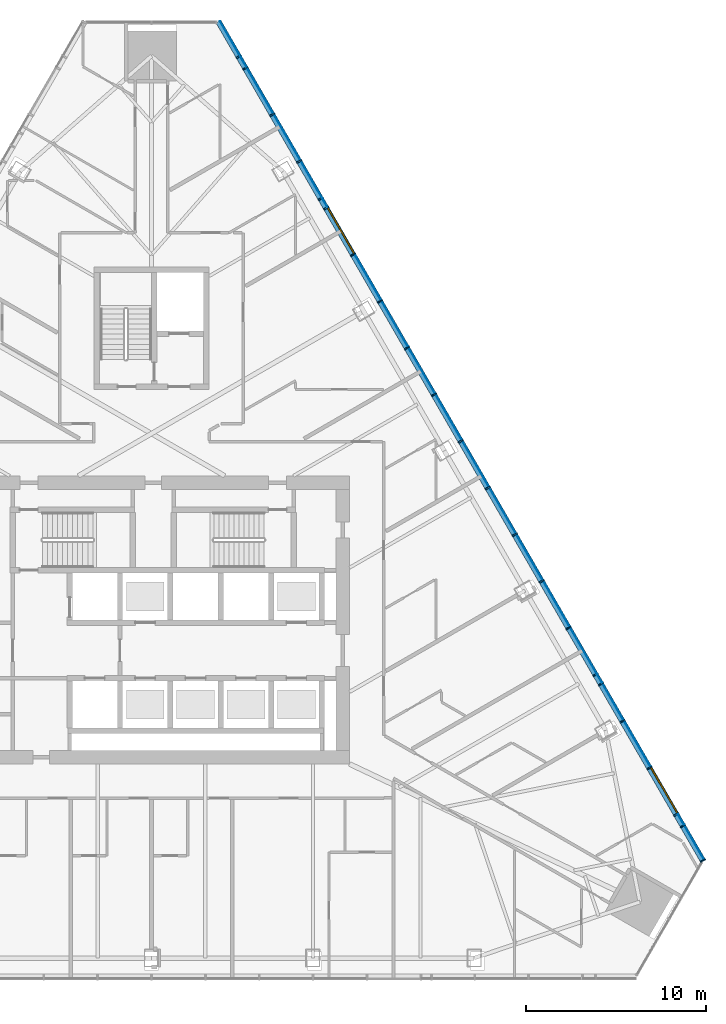
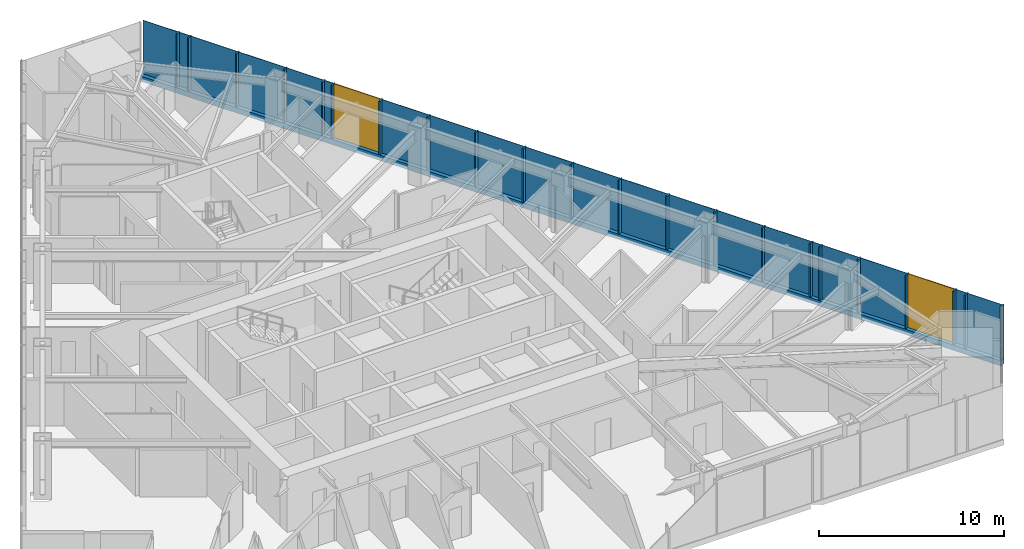
# One storey, part 10 of 21: 23 members, 20 plates, 2 windows, 2 openings, 1 element without a shape of its own.
"""IFC4 building model written with IfcOpenShell, lengths in metres."""

from ifc_helpers import new_model, si_unit, direction, frame, frame_2d, origin, origin_2d, place, context, subcontext, project, spatial, polyline, rectangle, outline, extrude, material, layer, layer_set, material_profile, profile_set, type_object, element, fill, aggregate, save


model = new_model("IFC4")

# Units and contexts
model_context = context("Model", 3, precision=1e-05, world=origin(), true_north=direction((0.0, 1.0)))
body_context = subcontext(model_context, "Body", "Model", "MODEL_VIEW")
ifc_project = project(units=[si_unit("LENGTHUNIT", "METRE"), si_unit("AREAUNIT", "SQUARE_METRE"), si_unit("VOLUMEUNIT", "CUBIC_METRE"), si_unit("PLANEANGLEUNIT", "RADIAN"), si_unit("MASSUNIT", "GRAM", prefix="KILO")], contexts=[model_context])

# Site, building, storey
site_placement = place(None, origin())
site = spatial("IfcSite", under=ifc_project, at=site_placement, CompositionType="ELEMENT")
building_placement = place(site_placement, origin())
building = spatial("IfcBuilding", under=site, at=building_placement, Name="Firuza Gate Tower and Library", CompositionType="ELEMENT")
storey_placement = place(building_placement, frame((0.0, 0.0, 167.5)))
storey = spatial("IfcBuildingStorey", under=building, at=storey_placement, Name="L38", CompositionType="ELEMENT", Elevation=167.5)

# Curtain wall, openings, members, plates, windows
ifc_material_1 = material(Name="Aluminium 6063-T6", Category="aluminium")
ifc_layer_1 = layer(ifc_material_1, 0.14990234375)
ifc_layer_set_1 = layer_set([ifc_layer_1], Name="Unitised curtain wall, hotel")
curtain_wall_type = type_object("IfcCurtainWallType", Name="Unitised curtain wall, hotel", PredefinedType="NOTDEFINED", material=ifc_layer_set_1)
curtain_wall_placement = place(storey_placement, origin())
curtain_wall = element("IfcCurtainWall", 1, at=curtain_wall_placement, inside=storey, type_object=curtain_wall_type, Name="CW2 L38 E face", PredefinedType="NOTDEFINED")
opening_1_placement = place(curtain_wall_placement, frame((104.20361328125, 64.266845703125, 0.14990234375), z_axis=(0.0, 0.0, 1.0), x_axis=(-0.5, 0.866025, 0.0)))
opening_1 = element("IfcOpeningElement", 2, at=opening_1_placement, cuts=curtain_wall, Name="Opening WD1-001", PredefinedType="OPENING", context=body_context, shape_type="SweptSolid", body=[
    extrude(rectangle(XDim=2.912109375, YDim=3.550048828125, at=frame_2d((1.4560546875, 1.77490234375))), frame((0.0, 0.0849609375, 0.0), z_axis=(0.0, -1.0, 0.0), x_axis=(1.0, 0.0, 0.0)), (0.0, 0.0, 1.0), 0.169921875),
])
opening_2_placement = place(curtain_wall_placement, frame((86.250732421875, 95.36181640625, 0.14990234375), z_axis=(0.0, 0.0, 1.0), x_axis=(-0.5, 0.866025, 0.0)))
opening_2 = element("IfcOpeningElement", 3, at=opening_2_placement, cuts=curtain_wall, Name="Opening WD1-002", PredefinedType="OPENING", context=body_context, shape_type="SweptSolid", body=[
    extrude(rectangle(XDim=2.912109375, YDim=3.550048828125, at=frame_2d((1.4560546875, 1.77490234375))), frame((0.0, 0.0849609375, 0.0), z_axis=(0.0, -1.0, 0.0), x_axis=(1.0, 0.0, 0.0)), (0.0, 0.0, 1.0), 0.169921875),
])
ifc_material_2 = material(Name="Aluminium 6063-T6", Category="aluminium")
ifc_material_profile_1 = material_profile(ifc_material_2, rectangle(XDim=0.320068359375, YDim=0.080078125, at=origin_2d()))
ifc_profile_set_1 = profile_set([ifc_material_profile_1], Name="Aluminium 6063-T6")
member_type_1 = type_object("IfcMemberType", Name="Curtain wall mullion 80x320", PredefinedType="MULLION", material=ifc_profile_set_1)
member_1_placement = place(storey_placement, frame((105.6259765625, 61.633056640625, 0.14990234375), z_axis=(0.0, 0.0, 1.0), x_axis=(-0.866025403784, -0.5, 0.0)))
member_1 = element("IfcMember", 4, at=member_1_placement, type_object=member_type_1, Name="Mullion", PredefinedType="MULLION", context=body_context, shape_type="SweptSolid", body=[
    extrude(rectangle(XDim=0.320068359375, YDim=0.080078125, at=origin_2d()), origin(), (0.0, 0.0, 1.0), 3.550048828125),
])
member_2_placement = place(storey_placement, frame((104.14990234375, 64.189697265625, 0.14990234375), z_axis=(0.0, 0.0, 1.0), x_axis=(-0.866025403784, -0.5, 0.0)))
member_2 = element("IfcMember", 5, at=member_2_placement, type_object=member_type_1, Name="Mullion", PredefinedType="MULLION", context=body_context, shape_type="SweptSolid", body=[
    extrude(rectangle(XDim=0.320068359375, YDim=0.080078125, at=origin_2d()), origin(), (0.0, 0.0, 1.0), 3.550048828125),
])
member_3_placement = place(storey_placement, frame((102.65380859375, 66.781005859375, 0.14990234375), z_axis=(0.0, 0.0, 1.0), x_axis=(-0.866025403784, -0.5, 0.0)))
member_3 = element("IfcMember", 6, at=member_3_placement, type_object=member_type_1, Name="Mullion", PredefinedType="MULLION", context=body_context, shape_type="SweptSolid", body=[
    extrude(rectangle(XDim=0.320068359375, YDim=0.080078125, at=origin_2d()), origin(), (0.0, 0.0, 1.0), 3.550048828125),
])
member_4_placement = place(storey_placement, frame((101.15771484375, 69.372314453125, 0.14990234375), z_axis=(0.0, 0.0, 1.0), x_axis=(-0.866025403784, -0.5, 0.0)))
member_4 = element("IfcMember", 7, at=member_4_placement, type_object=member_type_1, Name="Mullion", PredefinedType="MULLION", context=body_context, shape_type="SweptSolid", body=[
    extrude(rectangle(XDim=0.320068359375, YDim=0.080078125, at=origin_2d()), origin(), (0.0, 0.0, 1.0), 3.550048828125),
])
member_5_placement = place(storey_placement, frame((99.661865234375, 71.96337890625, 0.14990234375), z_axis=(0.0, 0.0, 1.0), x_axis=(-0.866025403784, -0.5, 0.0)))
member_5 = element("IfcMember", 8, at=member_5_placement, type_object=member_type_1, Name="Mullion", PredefinedType="MULLION", context=body_context, shape_type="SweptSolid", body=[
    extrude(rectangle(XDim=0.320068359375, YDim=0.080078125, at=origin_2d()), origin(), (0.0, 0.0, 1.0), 3.550048828125),
])
member_6_placement = place(storey_placement, frame((98.165771484375, 74.5546875, 0.14990234375), z_axis=(0.0, 0.0, 1.0), x_axis=(-0.866025403784, -0.5, 0.0)))
member_6 = element("IfcMember", 9, at=member_6_placement, type_object=member_type_1, Name="Mullion", PredefinedType="MULLION", context=body_context, shape_type="SweptSolid", body=[
    extrude(rectangle(XDim=0.320068359375, YDim=0.080078125, at=origin_2d()), origin(), (0.0, 0.0, 1.0), 3.550048828125),
])
member_7_placement = place(storey_placement, frame((96.669677734375, 77.14599609375, 0.14990234375), z_axis=(0.0, 0.0, 1.0), x_axis=(-0.866025403784, -0.5, 0.0)))
member_7 = element("IfcMember", 10, at=member_7_placement, type_object=member_type_1, Name="Mullion", PredefinedType="MULLION", context=body_context, shape_type="SweptSolid", body=[
    extrude(rectangle(XDim=0.320068359375, YDim=0.080078125, at=origin_2d()), origin(), (0.0, 0.0, 1.0), 3.550048828125),
])
member_8_placement = place(storey_placement, frame((95.173583984375, 79.7373046875, 0.14990234375), z_axis=(0.0, 0.0, 1.0), x_axis=(-0.866025403784, -0.5, 0.0)))
member_8 = element("IfcMember", 11, at=member_8_placement, type_object=member_type_1, Name="Mullion", PredefinedType="MULLION", context=body_context, shape_type="SweptSolid", body=[
    extrude(rectangle(XDim=0.320068359375, YDim=0.080078125, at=origin_2d()), origin(), (0.0, 0.0, 1.0), 3.550048828125),
])
member_9_placement = place(storey_placement, frame((93.677490234375, 82.328369140625, 0.14990234375), z_axis=(0.0, 0.0, 1.0), x_axis=(-0.866025403784, -0.5, 0.0)))
member_9 = element("IfcMember", 12, at=member_9_placement, type_object=member_type_1, Name="Mullion", PredefinedType="MULLION", context=body_context, shape_type="SweptSolid", body=[
    extrude(rectangle(XDim=0.320068359375, YDim=0.080078125, at=origin_2d()), origin(), (0.0, 0.0, 1.0), 3.550048828125),
])
member_10_placement = place(storey_placement, frame((92.181396484375, 84.919677734375, 0.14990234375), z_axis=(0.0, 0.0, 1.0), x_axis=(-0.866025403784, -0.5, 0.0)))
member_10 = element("IfcMember", 13, at=member_10_placement, type_object=member_type_1, Name="Mullion", PredefinedType="MULLION", context=body_context, shape_type="SweptSolid", body=[
    extrude(rectangle(XDim=0.320068359375, YDim=0.080078125, at=origin_2d()), origin(), (0.0, 0.0, 1.0), 3.550048828125),
])
member_11_placement = place(storey_placement, frame((90.685302734375, 87.510986328125, 0.14990234375), z_axis=(0.0, 0.0, 1.0), x_axis=(-0.866025403784, -0.5, 0.0)))
member_11 = element("IfcMember", 14, at=member_11_placement, type_object=member_type_1, Name="Mullion", PredefinedType="MULLION", context=body_context, shape_type="SweptSolid", body=[
    extrude(rectangle(XDim=0.320068359375, YDim=0.080078125, at=origin_2d()), origin(), (0.0, 0.0, 1.0), 3.550048828125),
])
member_12_placement = place(storey_placement, frame((89.189453125, 90.102294921875, 0.14990234375), z_axis=(0.0, 0.0, 1.0), x_axis=(-0.866025403784, -0.5, 0.0)))
member_12 = element("IfcMember", 15, at=member_12_placement, type_object=member_type_1, Name="Mullion", PredefinedType="MULLION", context=body_context, shape_type="SweptSolid", body=[
    extrude(rectangle(XDim=0.320068359375, YDim=0.080078125, at=origin_2d()), origin(), (0.0, 0.0, 1.0), 3.550048828125),
])
member_13_placement = place(storey_placement, frame((87.693359375, 92.693359375, 0.14990234375), z_axis=(0.0, 0.0, 1.0), x_axis=(-0.866025403784, -0.5, 0.0)))
member_13 = element("IfcMember", 16, at=member_13_placement, type_object=member_type_1, Name="Mullion", PredefinedType="MULLION", context=body_context, shape_type="SweptSolid", body=[
    extrude(rectangle(XDim=0.320068359375, YDim=0.080078125, at=origin_2d()), origin(), (0.0, 0.0, 1.0), 3.550048828125),
])
member_14_placement = place(storey_placement, frame((86.197265625, 95.28466796875, 0.14990234375), z_axis=(0.0, 0.0, 1.0), x_axis=(-0.866025403784, -0.5, 0.0)))
member_14 = element("IfcMember", 17, at=member_14_placement, type_object=member_type_1, Name="Mullion", PredefinedType="MULLION", context=body_context, shape_type="SweptSolid", body=[
    extrude(rectangle(XDim=0.320068359375, YDim=0.080078125, at=origin_2d()), origin(), (0.0, 0.0, 1.0), 3.550048828125),
])
member_15_placement = place(storey_placement, frame((84.701171875, 97.8759765625, 0.14990234375), z_axis=(0.0, 0.0, 1.0), x_axis=(-0.866025403784, -0.5, 0.0)))
member_15 = element("IfcMember", 18, at=member_15_placement, type_object=member_type_1, Name="Mullion", PredefinedType="MULLION", context=body_context, shape_type="SweptSolid", body=[
    extrude(rectangle(XDim=0.320068359375, YDim=0.080078125, at=origin_2d()), origin(), (0.0, 0.0, 1.0), 3.550048828125),
])
member_16_placement = place(storey_placement, frame((83.205078125, 100.46728515625, 0.14990234375), z_axis=(0.0, 0.0, 1.0), x_axis=(-0.866025403784, -0.5, 0.0)))
member_16 = element("IfcMember", 19, at=member_16_placement, type_object=member_type_1, Name="Mullion", PredefinedType="MULLION", context=body_context, shape_type="SweptSolid", body=[
    extrude(rectangle(XDim=0.320068359375, YDim=0.080078125, at=origin_2d()), origin(), (0.0, 0.0, 1.0), 3.550048828125),
])
member_17_placement = place(storey_placement, frame((81.708984375, 103.05859375, 0.14990234375), z_axis=(0.0, 0.0, 1.0), x_axis=(-0.866025403784, -0.5, 0.0)))
member_17 = element("IfcMember", 20, at=member_17_placement, type_object=member_type_1, Name="Mullion", PredefinedType="MULLION", context=body_context, shape_type="SweptSolid", body=[
    extrude(rectangle(XDim=0.320068359375, YDim=0.080078125, at=origin_2d()), origin(), (0.0, 0.0, 1.0), 3.550048828125),
])
member_18_placement = place(storey_placement, frame((80.212890625, 105.649658203125, 0.14990234375), z_axis=(0.0, 0.0, 1.0), x_axis=(-0.866025403784, -0.5, 0.0)))
member_18 = element("IfcMember", 21, at=member_18_placement, type_object=member_type_1, Name="Mullion", PredefinedType="MULLION", context=body_context, shape_type="SweptSolid", body=[
    extrude(rectangle(XDim=0.320068359375, YDim=0.080078125, at=origin_2d()), origin(), (0.0, 0.0, 1.0), 3.550048828125),
])
member_19_placement = place(storey_placement, frame((104.5126953125, 63.5615234375, 0.14990234375), z_axis=(0.0, 0.0, 1.0), x_axis=(-0.866025403784, -0.5, 0.0)))
member_19 = element("IfcMember", 22, at=member_19_placement, type_object=member_type_1, Name="Mullion", PredefinedType="MULLION", context=body_context, shape_type="SweptSolid", body=[
    extrude(rectangle(XDim=0.320068359375, YDim=0.080078125, at=origin_2d()), origin(), (0.0, 0.0, 1.0), 3.550048828125),
])
member_20_placement = place(storey_placement, frame((99.962646484375, 71.4423828125, 0.14990234375), z_axis=(0.0, 0.0, 1.0), x_axis=(-0.866025403784, -0.5, 0.0)))
member_20 = element("IfcMember", 23, at=member_20_placement, type_object=member_type_1, Name="Mullion", PredefinedType="MULLION", context=body_context, shape_type="SweptSolid", body=[
    extrude(rectangle(XDim=0.320068359375, YDim=0.080078125, at=origin_2d()), origin(), (0.0, 0.0, 1.0), 3.550048828125),
])
member_21_placement = place(storey_placement, frame((84.400390625, 98.39697265625, 0.14990234375), z_axis=(0.0, 0.0, 1.0), x_axis=(-0.866025403784, -0.5, 0.0)))
member_21 = element("IfcMember", 24, at=member_21_placement, type_object=member_type_1, Name="Mullion", PredefinedType="MULLION", context=body_context, shape_type="SweptSolid", body=[
    extrude(rectangle(XDim=0.320068359375, YDim=0.080078125, at=origin_2d()), origin(), (0.0, 0.0, 1.0), 3.550048828125),
])
member_22_placement = place(storey_placement, frame((79.850341796875, 106.27783203125, 0.14990234375), z_axis=(0.0, 0.0, 1.0), x_axis=(-0.866025403784, -0.5, 0.0)))
member_22 = element("IfcMember", 25, at=member_22_placement, type_object=member_type_1, Name="Mullion", PredefinedType="MULLION", context=body_context, shape_type="SweptSolid", body=[
    extrude(rectangle(XDim=0.320068359375, YDim=0.080078125, at=origin_2d()), origin(), (0.0, 0.0, 1.0), 3.550048828125),
])
ifc_material_3 = material(Name="Aluminium 6063-T6", Category="aluminium")
ifc_material_profile_2 = material_profile(ifc_material_3, rectangle(XDim=0.320068359375, YDim=0.35009765625, at=origin_2d()))
ifc_profile_set_2 = profile_set([ifc_material_profile_2], Name="Aluminium 6063-T6")
member_type_2 = type_object("IfcMemberType", Name="Curtain wall transom 350x320", PredefinedType="USERDEFINED", material=ifc_profile_set_2)
member_23_placement = place(storey_placement, frame((105.64599609375, 61.598388671875, -0.02490234375), z_axis=(-0.500001311533, 0.866024646569, 0.0), x_axis=(-0.866024646569, -0.500001311533, 0.0)))
member_23 = element("IfcMember", 26, at=member_23_placement, type_object=member_type_2, Name="Transom", ObjectType="TRANSOM", PredefinedType="USERDEFINED", context=body_context, shape_type="SweptSolid", body=[
    extrude(rectangle(XDim=0.320068359375, YDim=0.35009765625, at=origin_2d()), origin(), (0.0, 0.0, 1.0), 53.858154296875),
])
ifc_material_4 = material(Name="Fritted glass", Category="glass")
ifc_layer_2 = layer(ifc_material_4, 0.030029296875)
ifc_layer_set_2 = layer_set([ifc_layer_2], Name="Fritted glass unit, hotel")
plate_type_1 = type_object("IfcPlateType", Name="Fritted glass unit, hotel", PredefinedType="CURTAIN_PANEL", material=ifc_layer_set_2)
plate_1_placement = place(storey_placement, frame((104.5791015625, 63.646240234375, 0.14990234375), z_axis=(0.866116284689, 0.499842556608, 0.0), x_axis=(-0.499842556608, 0.866116284689, 0.0)))
plate_1 = element("IfcPlate", 27, at=plate_1_placement, type_object=plate_type_1, Name="Glass unit", PredefinedType="CURTAIN_PANEL", context=body_context, shape_type="SweptSolid", body=[
    extrude(outline(polyline([(0.0, 0.0), (0.6452227033526423, 0.0), (0.6452227033526423, 3.550048828125), (0.0, 3.550048828125), (0.0, 0.0)])), origin(), (0.0, 0.0, -1.0), 0.030029296875),
])
plate_2_placement = place(storey_placement, frame((100.029296875, 71.527099609375, 0.14990234375), z_axis=(0.865842546269, 0.500316584844, 0.0), x_axis=(-0.500316584844, 0.865842546269, 0.0)))
plate_2 = element("IfcPlate", 28, at=plate_2_placement, type_object=plate_type_1, Name="Glass unit", PredefinedType="CURTAIN_PANEL", context=body_context, shape_type="SweptSolid", body=[
    extrude(outline(polyline([(0.0, 0.0), (0.5216423681143477, 0.0), (0.5216423681143477, 3.550048828125), (0.0, 3.550048828125), (0.0, 0.0)])), origin(), (0.0, 0.0, -1.0), 0.030029296875),
])
plate_3_placement = place(storey_placement, frame((99.728271484375, 72.048095703125, 0.14990234375), z_axis=(0.866026430432, 0.49999822179, 0.0), x_axis=(-0.49999822179, 0.866026430432, 0.0)))
plate_3 = element("IfcPlate", 29, at=plate_3_placement, type_object=plate_type_1, Name="Glass unit", PredefinedType="CURTAIN_PANEL", context=body_context, shape_type="SweptSolid", body=[
    extrude(outline(polyline([(0.0, 0.0), (2.9121197317183585, 0.0), (2.9121197317183585, 3.550048828125), (0.0, 3.550048828125), (0.0, 0.0)])), origin(), (0.0, 0.0, -1.0), 0.030029296875),
])
plate_4_placement = place(storey_placement, frame((95.240234375, 79.82177734375, 0.14990234375), z_axis=(0.866026430432, 0.49999822179, 0.0), x_axis=(-0.49999822179, 0.866026430432, 0.0)))
plate_4 = element("IfcPlate", 30, at=plate_4_placement, type_object=plate_type_1, Name="Glass unit", PredefinedType="CURTAIN_PANEL", context=body_context, shape_type="SweptSolid", body=[
    extrude(outline(polyline([(0.0, 0.0), (2.9121197317183585, 0.0), (2.9121197317183585, 3.550048828125), (0.0, 3.550048828125), (0.0, 0.0)])), origin(), (0.0, 0.0, -1.0), 0.030029296875),
])
plate_5_placement = place(storey_placement, frame((90.751953125, 87.595703125, 0.14990234375), z_axis=(0.866026430432, 0.49999822179, 0.0), x_axis=(-0.49999822179, 0.866026430432, 0.0)))
plate_5 = element("IfcPlate", 31, at=plate_5_placement, type_object=plate_type_1, Name="Glass unit", PredefinedType="CURTAIN_PANEL", context=body_context, shape_type="SweptSolid", body=[
    extrude(outline(polyline([(0.0, 0.0), (2.9121197317183585, 0.0), (2.9121197317183585, 3.550048828125), (0.0, 3.550048828125), (0.0, 0.0)])), origin(), (0.0, 0.0, -1.0), 0.030029296875),
])
plate_6_placement = place(storey_placement, frame((84.767822265625, 97.960693359375, 0.14990234375), z_axis=(0.865842546269, 0.500316584844, 0.0), x_axis=(-0.500316584844, 0.865842546269, 0.0)))
plate_6 = element("IfcPlate", 32, at=plate_6_placement, type_object=plate_type_1, Name="Glass unit", PredefinedType="CURTAIN_PANEL", context=body_context, shape_type="SweptSolid", body=[
    extrude(outline(polyline([(0.0, 0.0), (0.5216423681143477, 0.0), (0.5216423681143477, 3.550048828125), (0.0, 3.550048828125), (0.0, 0.0)])), origin(), (0.0, 0.0, -1.0), 0.030029296875),
])
plate_7_placement = place(storey_placement, frame((81.775634765625, 103.14306640625, 0.14990234375), z_axis=(0.866026430432, 0.49999822179, 0.0), x_axis=(-0.49999822179, 0.866026430432, 0.0)))
plate_7 = element("IfcPlate", 33, at=plate_7_placement, type_object=plate_type_1, Name="Glass unit", PredefinedType="CURTAIN_PANEL", context=body_context, shape_type="SweptSolid", body=[
    extrude(outline(polyline([(0.0, 0.0), (2.9121197317183585, 0.0), (2.9121197317183585, 3.550048828125), (0.0, 3.550048828125), (0.0, 0.0)])), origin(), (0.0, 0.0, -1.0), 0.030029296875),
])
plate_8_placement = place(storey_placement, frame((80.279541015625, 105.734375, 0.14990234375), z_axis=(0.865952459393, 0.500126322114, 0.0), x_axis=(-0.500126322114, 0.865952459393, 0.0)))
plate_8 = element("IfcPlate", 34, at=plate_8_placement, type_object=plate_type_1, Name="Glass unit", PredefinedType="CURTAIN_PANEL", context=body_context, shape_type="SweptSolid", body=[
    extrude(outline(polyline([(0.0, 0.0), (0.6453447698694345, 0.0), (0.6453447698694345, 3.550048828125001), (0.0, 3.550048828125001), (0.0, 0.0)])), origin(), (0.0, 0.0, -1.0), 0.030029296875),
])
ifc_material_5 = material(Name="Glazed ceramic tile")
ifc_layer_3 = layer(ifc_material_5, 0.030029296875)
ifc_layer_set_3 = layer_set([ifc_layer_3], Name="Opaque ceramic panel, hotel")
plate_type_2 = type_object("IfcPlateType", Name="Opaque ceramic panel, hotel", PredefinedType="CURTAIN_PANEL", material=ifc_layer_set_3)
plate_9_placement = place(storey_placement, frame((105.712646484375, 61.68310546875, 0.14990234375), z_axis=(0.866001523642, 0.500041359339, 0.0), x_axis=(-0.500041359339, 0.866001523642, 0.0)))
plate_9 = element("IfcPlate", 35, at=plate_9_placement, type_object=plate_type_2, Name="Opaque ceramic panel", PredefinedType="CURTAIN_PANEL", context=body_context, shape_type="SweptSolid", body=[
    extrude(outline(polyline([(0.0, 0.0), (2.186830826994873, 0.0), (2.186830826994873, 3.550048828125), (0.0, 3.550048828125), (0.0, 0.0)])), origin(), (0.0, 0.0, -1.0), 0.030029296875),
])
plate_10_placement = place(storey_placement, frame((102.720458984375, 66.865478515625, 0.14990234375), z_axis=(0.866026430432, 0.49999822179, 0.0), x_axis=(-0.49999822179, 0.866026430432, 0.0)))
plate_10 = element("IfcPlate", 36, at=plate_10_placement, type_object=plate_type_2, Name="Opaque ceramic panel", PredefinedType="CURTAIN_PANEL", context=body_context, shape_type="SweptSolid", body=[
    extrude(outline(polyline([(0.0, 0.0), (2.9121197317183585, 0.0), (2.9121197317183585, 3.550048828125), (0.0, 3.550048828125), (0.0, 0.0)])), origin(), (0.0, 0.0, -1.0), 0.030029296875),
])
plate_11_placement = place(storey_placement, frame((101.224365234375, 69.456787109375, 0.14990234375), z_axis=(0.86602370202, 0.50000294753, 0.0), x_axis=(-0.50000294753, 0.86602370202, 0.0)))
plate_11 = element("IfcPlate", 37, at=plate_11_placement, type_object=plate_type_2, Name="Opaque ceramic panel", PredefinedType="CURTAIN_PANEL", context=body_context, shape_type="SweptSolid", body=[
    extrude(outline(polyline([(0.0, 0.0), (2.310533254265643, 0.0), (2.310533254265643, 3.550048828125001), (0.0, 3.550048828125001), (0.0, 0.0)])), origin(), (0.0, 0.0, -1.0), 0.030029296875),
])
plate_12_placement = place(storey_placement, frame((98.232421875, 74.639404296875, 0.14990234375), z_axis=(0.865990127681, 0.500061095026, 0.0), x_axis=(-0.500061095026, 0.865990127681, 0.0)))
plate_12 = element("IfcPlate", 38, at=plate_12_placement, type_object=plate_type_2, Name="Opaque ceramic panel", PredefinedType="CURTAIN_PANEL", context=body_context, shape_type="SweptSolid", body=[
    extrude(outline(polyline([(0.0, 0.0), (2.912241809271842, 0.0), (2.912241809271842, 3.550048828125), (0.0, 3.550048828125), (0.0, 0.0)])), origin(), (0.0, 0.0, -1.0), 0.030029296875),
])
plate_13_placement = place(storey_placement, frame((96.736328125, 77.230712890625, 0.14990234375), z_axis=(0.866026430432, 0.49999822179, 0.0), x_axis=(-0.49999822179, 0.866026430432, 0.0)))
plate_13 = element("IfcPlate", 39, at=plate_13_placement, type_object=plate_type_2, Name="Opaque ceramic panel", PredefinedType="CURTAIN_PANEL", context=body_context, shape_type="SweptSolid", body=[
    extrude(outline(polyline([(0.0, 0.0), (2.9121197317183585, 0.0), (2.9121197317183585, 3.550048828125), (0.0, 3.550048828125), (0.0, 0.0)])), origin(), (0.0, 0.0, -1.0), 0.030029296875),
])
plate_14_placement = place(storey_placement, frame((93.744140625, 82.4130859375, 0.14990234375), z_axis=(0.866026430432, 0.49999822179, 0.0), x_axis=(-0.49999822179, 0.866026430432, 0.0)))
plate_14 = element("IfcPlate", 40, at=plate_14_placement, type_object=plate_type_2, Name="Opaque ceramic panel", PredefinedType="CURTAIN_PANEL", context=body_context, shape_type="SweptSolid", body=[
    extrude(outline(polyline([(0.0, 0.0), (2.9121197317183585, 0.0), (2.9121197317183585, 3.550048828125), (0.0, 3.550048828125), (0.0, 0.0)])), origin(), (0.0, 0.0, -1.0), 0.030029296875),
])
plate_15_placement = place(storey_placement, frame((92.248046875, 85.00439453125, 0.14990234375), z_axis=(0.866026430432, 0.49999822179, 0.0), x_axis=(-0.49999822179, 0.866026430432, 0.0)))
plate_15 = element("IfcPlate", 41, at=plate_15_placement, type_object=plate_type_2, Name="Opaque ceramic panel", PredefinedType="CURTAIN_PANEL", context=body_context, shape_type="SweptSolid", body=[
    extrude(outline(polyline([(0.0, 0.0), (2.9121197317183585, 0.0), (2.9121197317183585, 3.550048828125), (0.0, 3.550048828125), (0.0, 0.0)])), origin(), (0.0, 0.0, -1.0), 0.030029296875),
])
plate_16_placement = place(storey_placement, frame((89.255859375, 90.186767578125, 0.14990234375), z_axis=(0.866026430432, 0.49999822179, 0.0), x_axis=(-0.49999822179, 0.866026430432, 0.0)))
plate_16 = element("IfcPlate", 42, at=plate_16_placement, type_object=plate_type_2, Name="Opaque ceramic panel", PredefinedType="CURTAIN_PANEL", context=body_context, shape_type="SweptSolid", body=[
    extrude(outline(polyline([(0.0, 0.0), (2.9121197317183585, 0.0), (2.9121197317183585, 3.550048828125), (0.0, 3.550048828125), (0.0, 0.0)])), origin(), (0.0, 0.0, -1.0), 0.030029296875),
])
plate_17_placement = place(storey_placement, frame((87.759765625, 92.778076171875, 0.14990234375), z_axis=(0.866026430432, 0.49999822179, 0.0), x_axis=(-0.49999822179, 0.866026430432, 0.0)))
plate_17 = element("IfcPlate", 43, at=plate_17_placement, type_object=plate_type_2, Name="Opaque ceramic panel", PredefinedType="CURTAIN_PANEL", context=body_context, shape_type="SweptSolid", body=[
    extrude(outline(polyline([(0.0, 0.0), (2.9121197317183585, 0.0), (2.9121197317183585, 3.550048828125), (0.0, 3.550048828125), (0.0, 0.0)])), origin(), (0.0, 0.0, -1.0), 0.030029296875),
])
plate_18_placement = place(storey_placement, frame((84.466796875, 98.481689453125, 0.14990234375), z_axis=(0.866069454927, 0.499923693419, 0.0), x_axis=(-0.499923693419, 0.866069454927, 0.0)))
plate_18 = element("IfcPlate", 44, at=plate_18_placement, type_object=plate_type_2, Name="Opaque ceramic panel", PredefinedType="CURTAIN_PANEL", context=body_context, shape_type="SweptSolid", body=[
    extrude(outline(polyline([(0.0, 0.0), (2.31041119290785, 0.0), (2.31041119290785, 3.550048828125), (0.0, 3.550048828125), (0.0, 0.0)])), origin(), (0.0, 0.0, -1.0), 0.030029296875),
])
plate_19_placement = place(storey_placement, frame((83.271728515625, 100.5517578125, 0.14990234375), z_axis=(0.866026430432, 0.49999822179, 0.0), x_axis=(-0.49999822179, 0.866026430432, 0.0)))
plate_19 = element("IfcPlate", 45, at=plate_19_placement, type_object=plate_type_2, Name="Opaque ceramic panel", PredefinedType="CURTAIN_PANEL", context=body_context, shape_type="SweptSolid", body=[
    extrude(outline(polyline([(0.0, 0.0), (2.9121197317183585, 0.0), (2.9121197317183585, 3.550048828125), (0.0, 3.550048828125), (0.0, 0.0)])), origin(), (0.0, 0.0, -1.0), 0.030029296875),
])
plate_20_placement = place(storey_placement, frame((79.9169921875, 106.362548828125, 0.14990234375), z_axis=(0.866001523642, 0.500041359339, 0.0), x_axis=(-0.500041359339, 0.866001523642, 0.0)))
plate_20 = element("IfcPlate", 46, at=plate_20_placement, type_object=plate_type_2, Name="Opaque ceramic panel", PredefinedType="CURTAIN_PANEL", context=body_context, shape_type="SweptSolid", body=[
    extrude(outline(polyline([(0.0, 0.0), (2.186830826994873, 0.0), (2.186830826994873, 3.550048828125), (0.0, 3.550048828125), (0.0, 0.0)])), origin(), (0.0, 0.0, -1.0), 0.030029296875),
])
aggregate(curtain_wall, [member_1, member_2, member_3, member_4, member_5, member_6, member_7, member_8, member_9, member_10, member_11, member_12, member_13, member_14, member_15, member_16, member_17, member_18, member_23, plate_9, plate_1, member_19, plate_10, plate_11, plate_2, member_20, plate_3, plate_12, plate_13, plate_4, plate_14, plate_15, plate_5, plate_16, plate_17, plate_6, plate_18, member_21, plate_19, plate_7, plate_8, plate_20, member_22])
ifc_material_6 = material(Name="Aluminium 6063-T6 and glass", Category="aluminium")
ifc_layer_4 = layer(ifc_material_6, 0.030029296875)
ifc_layer_set_4 = layer_set([ifc_layer_4], Name="Operable glazed unit")
window_type = type_object("IfcWindowType", Name="Operable glazed unit", PartitioningType="SINGLE_PANEL", PredefinedType="WINDOW", material=ifc_layer_set_4)
window_1_placement = place(opening_1_placement, origin())
window_1 = element("IfcWindow", 47, at=window_1_placement, inside=storey, type_object=window_type, Name="Operable glazed unit", OverallHeight=3.550048828125, OverallWidth=2.912109375, PartitioningType="SINGLE_PANEL", PredefinedType="WINDOW", context=body_context, shape_type="SweptSolid", body=[
    extrude(rectangle(XDim=2.912109375, YDim=3.550048828125, at=frame_2d((1.4560546875, 1.77490234375))), frame((0.0, 0.030029296875, 0.0), z_axis=(0.0, -1.0, 0.0), x_axis=(1.0, 0.0, 0.0)), (0.0, 0.0, 1.0), 0.06005859375),
])
fill(opening_1, window_1)
window_2_placement = place(opening_2_placement, origin())
window_2 = element("IfcWindow", 48, at=window_2_placement, inside=storey, type_object=window_type, Name="Operable glazed unit", OverallHeight=3.550048828125, OverallWidth=2.912109375, PartitioningType="SINGLE_PANEL", PredefinedType="WINDOW", context=body_context, shape_type="SweptSolid", body=[
    extrude(rectangle(XDim=2.912109375, YDim=3.550048828125, at=frame_2d((1.4560546875, 1.77490234375))), frame((0.0, 0.030029296875, 0.0), z_axis=(0.0, -1.0, 0.0), x_axis=(1.0, 0.0, 0.0)), (0.0, 0.0, 1.0), 0.06005859375),
])
fill(opening_2, window_2)

save(model, "model.ifc")
